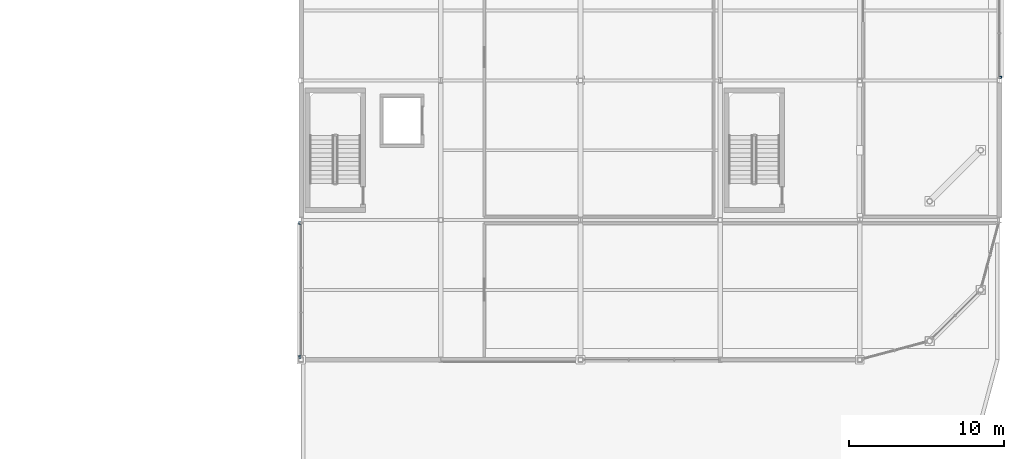
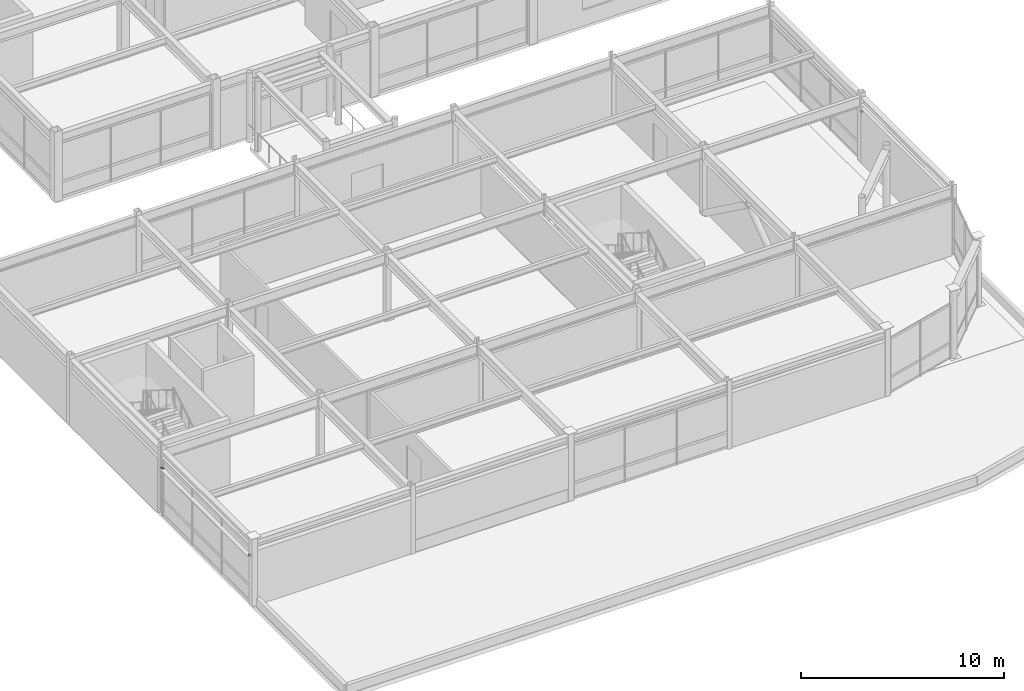
# One storey, part 90 of 108: 3 discrete accessories.
"""IFC4 building model written with IfcOpenShell, lengths in metres."""

from ifc_helpers import new_model, si_unit, direction, frame, origin, origin_2d, place, context, subcontext, project, spatial, rectangle, extrude, material, type_object, element, save


model = new_model("IFC4")

# Units and contexts
model_context = context("Model", 3, precision=1e-05, world=origin(), true_north=direction((0.0, 1.0)))
body_context = subcontext(model_context, "Body", "Model", "MODEL_VIEW")
ifc_project = project(units=[si_unit("LENGTHUNIT", "METRE"), si_unit("AREAUNIT", "SQUARE_METRE"), si_unit("VOLUMEUNIT", "CUBIC_METRE"), si_unit("PLANEANGLEUNIT", "RADIAN"), si_unit("MASSUNIT", "GRAM", prefix="KILO")], contexts=[model_context])

# Site, building, storey
site_placement = place(None, origin())
site = spatial("IfcSite", under=ifc_project, at=site_placement, CompositionType="ELEMENT")
building_placement = place(site_placement, origin())
building = spatial("IfcBuilding", under=site, at=building_placement, Name="Suzunagisa Mobility Hub", CompositionType="ELEMENT")
storey_placement = place(building_placement, frame((0.0, 0.0, 9.300048828125)))
storey = spatial("IfcBuildingStorey", under=building, at=storey_placement, Name="L02", CompositionType="ELEMENT", Elevation=9.300048828125)

# Discrete accessories
ifc_material = material(Name="Stainless Steel SUS316", Category="metal")
discrete_accessory_type = type_object("IfcDiscreteAccessoryType", Name="Stainless Sunshade Outrigger Bracket BRK-01", PredefinedType="BRACKET", material=ifc_material)
for number, where, z_axis, x_axis, name in (
    (1, (180.0849609375, 27.179931640625, 2.7998046875), (0.0, 0.0, 1.0), (0.0, 1.0, 0.0), "Sunshade Outrigger Bracket BRK-33.1"),
    (2, (134.9150390625, 17.800048828125, 2.849853515625), (0.0, 0.0, 1.0), (0.0, -1.0, 0.0), "Sunshade Outrigger Bracket BRK-34.1"),
    (3, (134.9150390625, 9.179931640625, 2.849853515625), (0.0, 0.0, 1.0), (0.0, -1.0, 0.0), "Sunshade Outrigger Bracket BRK-34.2"),
):
    element("IfcDiscreteAccessory", number, at=place(storey_placement, frame(where, z_axis=z_axis, x_axis=x_axis)), inside=storey, type_object=discrete_accessory_type, Name=name, PredefinedType="BRACKET", context=body_context, shape_type="SweptSolid", body=[
        extrude(rectangle(XDim=0.159912109375, YDim=0.1201171875, at=origin_2d()), origin(), (0.0, 0.0, 1.0), 0.080078125),
    ])

save(model, "model.ifc")
